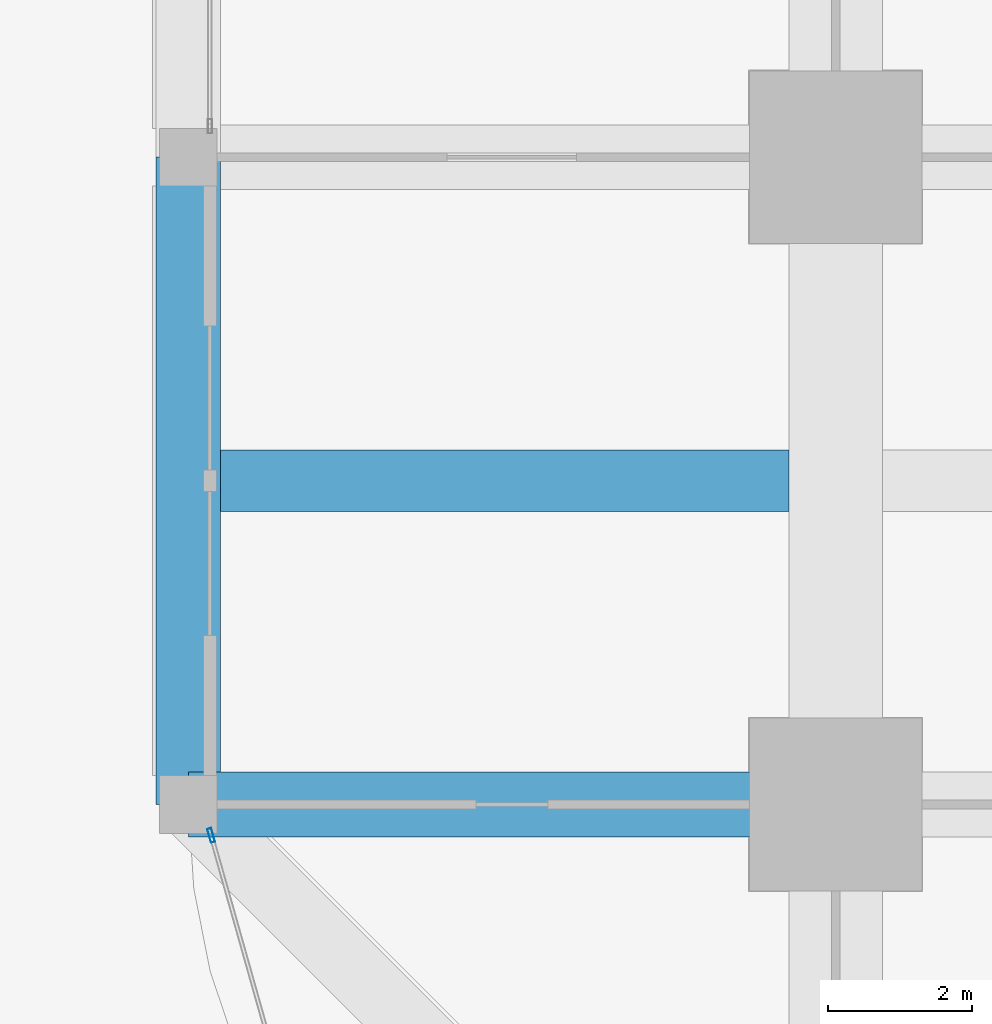
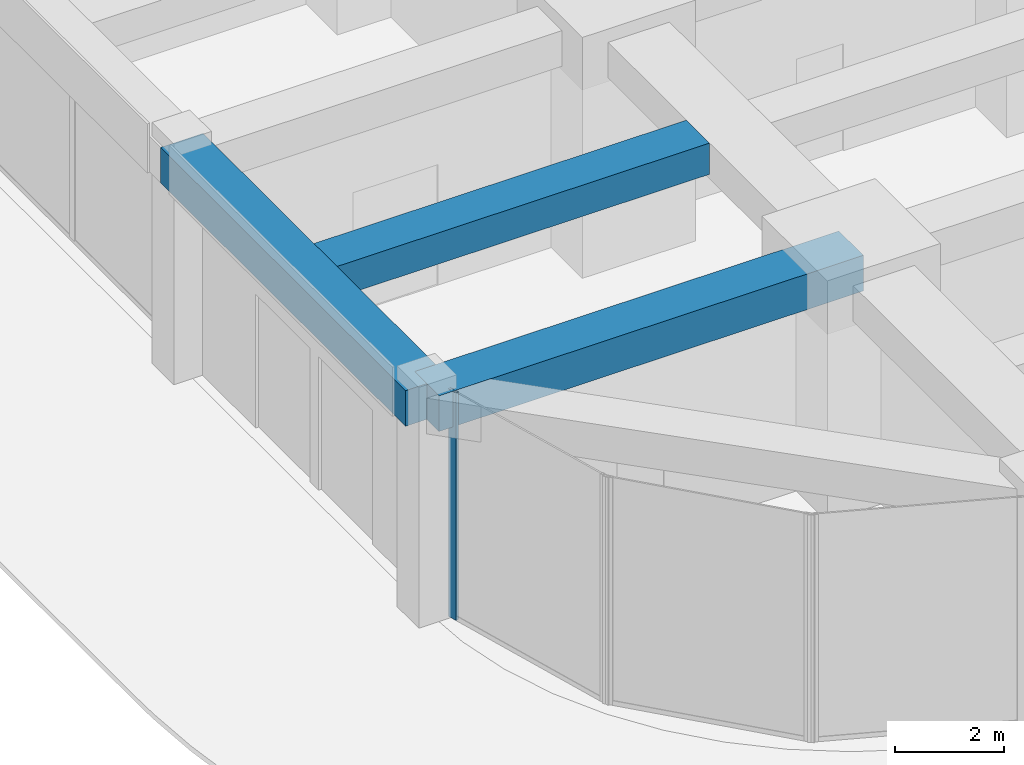
# One storey, part 4 of 56: 3 beams, 1 member, 1 element without a shape of its own.
"""IFC4 building model written with IfcOpenShell, lengths in metres."""

from ifc_helpers import new_model, si_unit, direction, frame, origin, origin_2d, place, context, subcontext, project, spatial, rectangle, hollow_rectangle, extrude, material, material_profile, profile_set, type_object, element, aggregate, save


model = new_model("IFC4")

# Units and contexts
model_context = context("Model", 3, precision=1e-05, world=origin(), true_north=direction((0.0, 1.0)))
body_context = subcontext(model_context, "Body", "Model", "MODEL_VIEW")
ifc_project = project(units=[si_unit("LENGTHUNIT", "METRE"), si_unit("AREAUNIT", "SQUARE_METRE"), si_unit("VOLUMEUNIT", "CUBIC_METRE"), si_unit("PLANEANGLEUNIT", "RADIAN"), si_unit("MASSUNIT", "GRAM", prefix="KILO")], contexts=[model_context])

# Site, building, storey
site_placement = place(None, origin())
site = spatial("IfcSite", under=ifc_project, at=site_placement, CompositionType="ELEMENT")
building_placement = place(site_placement, origin())
building = spatial("IfcBuilding", under=site, at=building_placement, Name="Zorevar Civic Tower", CompositionType="ELEMENT")
storey_placement = place(building_placement, origin())
storey = spatial("IfcBuildingStorey", under=building, at=storey_placement, Name="L00", CompositionType="ELEMENT", Elevation=0.0)

# Beams
ifc_material_1 = material(Name="Concrete C50/60", Category="concrete")
ifc_material_profile_1 = material_profile(ifc_material_1, rectangle(XDim=0.85009765625, YDim=0.699951171875, at=origin_2d()), Name="RC 850x700")
ifc_profile_set_1 = profile_set([ifc_material_profile_1], Name="Concrete C50/60")
beam_type_1 = type_object("IfcBeamType", Name="Beam RC 850x700", PredefinedType="BEAM", material=ifc_profile_set_1)
beam_1_placement = place(storey_placement, frame((-8.550048828125, 13.5, 4.75), z_axis=(1.0, 0.0, 0.0), x_axis=(0.0, 1.0, 0.0)))
element("IfcBeam", 1, at=beam_1_placement, inside=storey, type_object=beam_type_1, Name="Secondary beam L01", PredefinedType="BEAM", context=body_context, shape_type="SweptSolid", body=[
    extrude(rectangle(XDim=0.85009765625, YDim=0.699951171875, at=origin_2d()), origin(), (0.0, 0.0, 1.0), 7.900146484375),
])
ifc_material_2 = material(Name="Concrete C50/60", Category="concrete")
ifc_material_profile_2 = material_profile(ifc_material_2, rectangle(XDim=0.89990234375, YDim=0.800048828125, at=origin_2d()), Name="RC 900x800")
ifc_profile_set_2 = profile_set([ifc_material_profile_2], Name="Concrete C50/60")
beam_type_2 = type_object("IfcBeamType", Name="Beam RC 900x800", PredefinedType="BEAM", material=ifc_profile_set_2)
beam_2_placement = place(storey_placement, frame((-9.0, 9.0, 4.699951171875), z_axis=(1.0, 0.0, 0.0), x_axis=(0.0, 1.0, 0.0)))
element("IfcBeam", 2, at=beam_2_placement, inside=storey, type_object=beam_type_2, Name="Girder L01", PredefinedType="BEAM", context=body_context, shape_type="SweptSolid", body=[
    extrude(rectangle(XDim=0.89990234375, YDim=0.800048828125, at=origin_2d()), origin(), (0.0, 0.0, 1.0), 9.0),
])

# Curtain wall, member
ifc_material_3 = material(Name="Dark grey solar-control glass in black aluminium frame", Category="aluminium")
curtain_wall_type = type_object("IfcCurtainWallType", Name="Curtain wall CW1 podium", PredefinedType="NOTDEFINED", material=ifc_material_3)
curtain_wall_placement = place(storey_placement, origin())
curtain_wall = element("IfcCurtainWall", 3, at=curtain_wall_placement, inside=storey, type_object=curtain_wall_type, Name="CW1 L00", PredefinedType="NOTDEFINED")
ifc_material_4 = material(Name="Aluminium, black anodised", Category="aluminium")
ifc_material_profile_3 = material_profile(ifc_material_4, hollow_rectangle(XDim=0.06005859375, YDim=0.199951171875, WallThickness=0.00390625, at=origin_2d()), Name="AL 200x60x4")
ifc_profile_set_3 = profile_set([ifc_material_profile_3], Name="Aluminium, black anodised")
member_type = type_object("IfcMemberType", Name="CW1 mullion AL 200x60x4", PredefinedType="MULLION", material=ifc_profile_set_3)
member_placement = place(storey_placement, frame((-8.6826171875, 8.571044921875, 0.0), z_axis=(0.0, 0.0, 1.0), x_axis=(0.962390725943, 0.271669082929, 0.0)))
member = element("IfcMember", 4, at=member_placement, type_object=member_type, Name="CW1 mullion 1", PredefinedType="MULLION", context=body_context, shape_type="SweptSolid", body=[
    extrude(hollow_rectangle(XDim=0.06005859375, YDim=0.199951171875, WallThickness=0.00390625, at=origin_2d()), origin(), (0.0, 0.0, 1.0), 5.10009765625),
])
aggregate(curtain_wall, [member])

# Beam
ifc_material_5 = material(Name="Concrete C50/60", Category="concrete")
ifc_material_profile_4 = material_profile(ifc_material_5, rectangle(XDim=0.89990234375, YDim=0.800048828125, at=origin_2d()), Name="RC 900x800")
ifc_profile_set_4 = profile_set([ifc_material_profile_4], Name="Concrete C50/60")
beam_type_3 = type_object("IfcBeamType", Name="Edge beam RC 900x800", PredefinedType="SPANDREL", material=ifc_profile_set_4)
beam_3_placement = place(storey_placement, frame((-9.0, 9.0, 4.699951171875), z_axis=(0.0, 1.0, 0.0), x_axis=(-1.0, 0.0, 0.0)))
element("IfcBeam", 5, at=beam_3_placement, inside=storey, type_object=beam_type_3, Name="Edge beam L01", PredefinedType="SPANDREL", context=body_context, shape_type="SweptSolid", body=[
    extrude(rectangle(XDim=0.89990234375, YDim=0.800048828125, at=origin_2d()), origin(), (0.0, 0.0, 1.0), 9.0),
])

save(model, "model.ifc")
